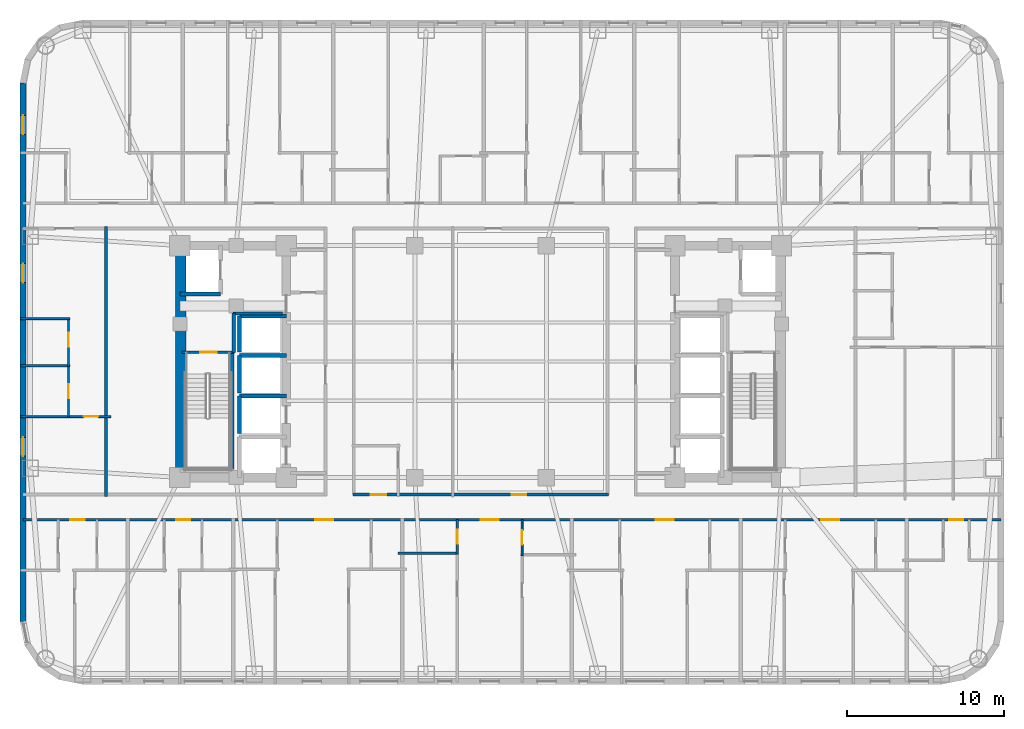
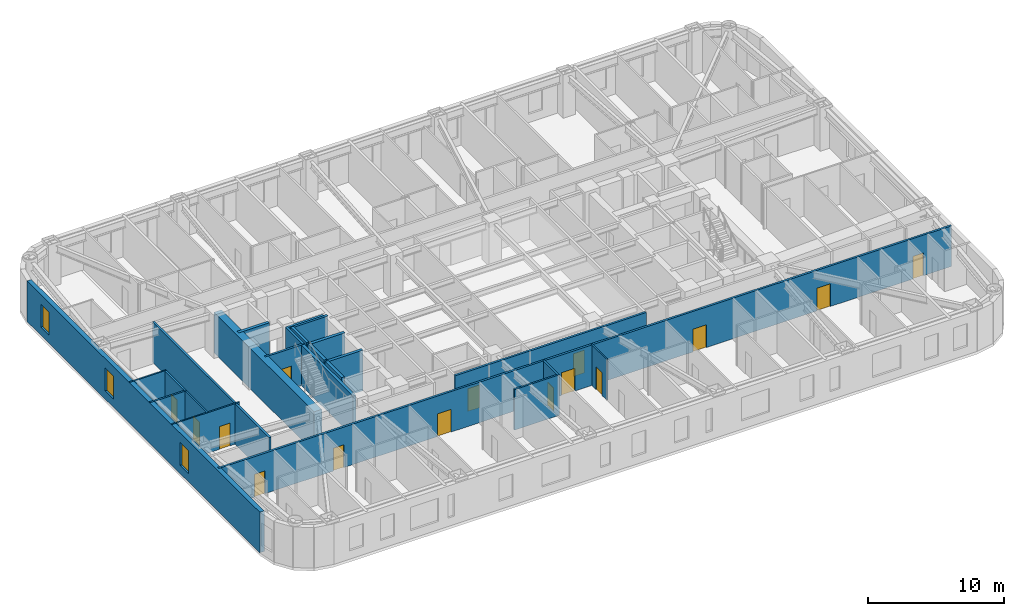
# One storey, part 4 of 12: 24 walls, 15 doors, 3 windows, 18 openings.
"""IFC4 building model written with IfcOpenShell, lengths in metres."""

from ifc_helpers import new_model, si_unit, direction, frame, frame_2d, origin, place, context, subcontext, project, spatial, rectangle, extrude, material, layer, layer_set, type_object, element, fill, save


model = new_model("IFC4")

# Units and contexts
model_context = context("Model", 3, precision=1e-05, world=origin(), true_north=direction((0.0, 1.0)))
body_context = subcontext(model_context, "Body", "Model", "MODEL_VIEW")
ifc_project = project(units=[si_unit("LENGTHUNIT", "METRE"), si_unit("AREAUNIT", "SQUARE_METRE"), si_unit("VOLUMEUNIT", "CUBIC_METRE"), si_unit("PLANEANGLEUNIT", "RADIAN"), si_unit("MASSUNIT", "GRAM", prefix="KILO")], contexts=[model_context])

# Site, building, storey
site_placement = place(None, origin())
site = spatial("IfcSite", under=ifc_project, at=site_placement, CompositionType="ELEMENT")
building_placement = place(site_placement, origin())
building = spatial("IfcBuilding", under=site, at=building_placement, Name="Voryun Gate Residences", CompositionType="ELEMENT")
storey_placement = place(building_placement, frame((0.0, 0.0, 101.39990234375)))
storey = spatial("IfcBuildingStorey", under=building, at=storey_placement, Name="L24", CompositionType="ELEMENT", Elevation=101.39990234375)

# Wall
ifc_material_1 = material(Name="Concrete C60/75", Category="concrete")
ifc_layer_1 = layer(ifc_material_1, 0.64990234375, Name="CW_CORE_650")
ifc_layer_set_1 = layer_set([ifc_layer_1], Name="Concrete C60/75")
wall_type_1 = type_object("IfcWallType", Name="CW_CORE_650", PredefinedType="SHEAR", material=ifc_layer_set_1)
wall_1_placement = place(storey_placement, frame((-19.14501953125, -7.39990234375, 0.0), z_axis=(0.0, 0.0, 1.0), x_axis=(0.0, 1.0, 0.0)))
element("IfcWall", 1, at=wall_1_placement, inside=storey, type_object=wall_type_1, Name="L24 Core shear wall CW-L24-WW", PredefinedType="SHEAR", context=body_context, shape_type="SweptSolid", body=[
    extrude(rectangle(XDim=14.7998046875, YDim=0.64990234375, at=frame_2d((7.39990234375, 0.0))), origin(), (0.0, 0.0, 1.0), 3.650146484375),
])

# Wall, opening, door
ifc_material_2 = material(Name="Gypsum acoustic fireboard")
ifc_layer_2 = layer(ifc_material_2, 0.179931640625, Name="W_CORR_RATED_180")
ifc_layer_set_2 = layer_set([ifc_layer_2], Name="Gypsum acoustic fireboard")
wall_type_2 = type_object("IfcWallType", Name="W_CORR_RATED_180", PredefinedType="PARTITIONING", material=ifc_layer_set_2)
wall_2_placement = place(storey_placement, frame((-19.06005859375, 0.60009765625, 0.0), z_axis=(0.0, 0.0, 1.0), x_axis=(1.0, 0.0, 0.0)))
wall_2 = element("IfcWall", 2, at=wall_2_placement, inside=storey, type_object=wall_type_2, Name="Partition wall WP-L24-STV-W", PredefinedType="PARTITIONING", context=body_context, shape_type="SweptSolid", body=[
    extrude(rectangle(XDim=3.360107421875, YDim=0.179931640625, at=frame_2d((1.68017578125, 0.0))), origin(), (0.0, 0.0, 1.0), 3.650146484375),
])
opening_1_placement = place(wall_2_placement, frame((1.155029296875, 0.0, 0.0)))
opening_1 = element("IfcOpeningElement", 3, at=opening_1_placement, cuts=wall_2, Name="Opening D-FD60-1", PredefinedType="OPENING", context=body_context, shape_type="SweptSolid", body=[
    extrude(rectangle(XDim=1.050048828125, YDim=2.050048828125, at=frame_2d((0.52490234375, 1.02490234375))), frame((0.0, 0.099853515625, 0.0), z_axis=(0.0, -1.0, 0.0), x_axis=(1.0, 0.0, 0.0)), (0.0, 0.0, 1.0), 0.199951171875),
])
ifc_material_3 = material(Name="Painted steel fire door", Category="steel")
door_type_1 = type_object("IfcDoorType", Name="DR_FD60_STAIR_1050", OperationType="NOTDEFINED", PredefinedType="DOOR", material=ifc_material_3)
door_1_placement = place(opening_1_placement, origin())
door_1 = element("IfcDoor", 4, at=door_1_placement, inside=storey, type_object=door_type_1, Name="Door DR-L24-ST-W", OperationType="SINGLE_SWING_LEFT", OverallHeight=2.050048828125, OverallWidth=1.050048828125, PredefinedType="DOOR", context=body_context, shape_type="SweptSolid", body=[
    extrude(rectangle(XDim=1.050048828125, YDim=2.050048828125, at=frame_2d((0.52490234375, 1.02490234375))), frame((0.0, 0.02490234375, 0.0), z_axis=(0.0, -1.0, 0.0), x_axis=(1.0, 0.0, 0.0)), (0.0, 0.0, 1.0), 0.050048828125),
])
fill(opening_1, door_1)

# Wall, openings, doors
wall_3_placement = place(storey_placement, frame((-8.14990234375, -8.489990234375, 0.0), z_axis=(0.0, 0.0, 1.0), x_axis=(1.0, 0.0, 0.0)))
wall_3 = element("IfcWall", 5, at=wall_3_placement, inside=storey, type_object=wall_type_2, Name="Partition wall WP-L24-Z1S", PredefinedType="PARTITIONING", context=body_context, shape_type="SweptSolid", body=[
    extrude(rectangle(XDim=16.2998046875, YDim=0.179931640625, at=frame_2d((8.14990234375, 0.0))), origin(), (0.0, 0.0, 1.0), 3.650146484375),
])
opening_2_placement = place(wall_3_placement, frame((1.1298828125, 0.0, 0.0)))
opening_2 = element("IfcOpeningElement", 6, at=opening_2_placement, cuts=wall_3, Name="Opening D-AWC-1", PredefinedType="OPENING", context=body_context, shape_type="SweptSolid", body=[
    extrude(rectangle(XDim=1.0, YDim=2.050048828125, at=frame_2d((0.5, 1.02490234375))), frame((0.0, 0.099853515625, 0.0), z_axis=(0.0, -1.0, 0.0), x_axis=(1.0, 0.0, 0.0)), (0.0, 0.0, 1.0), 0.199951171875),
])
opening_3_placement = place(wall_3_placement, frame((10.1201171875, 0.0, 0.0)))
opening_3 = element("IfcOpeningElement", 7, at=opening_3_placement, cuts=wall_3, Name="Opening D-INT-1", PredefinedType="OPENING", context=body_context, shape_type="SweptSolid", body=[
    extrude(rectangle(XDim=0.949951171875, YDim=2.050048828125, at=frame_2d((0.47509765625, 1.02490234375))), frame((0.0, 0.099853515625, 0.0), z_axis=(0.0, -1.0, 0.0), x_axis=(1.0, 0.0, 0.0)), (0.0, 0.0, 1.0), 0.199951171875),
])
ifc_material_4 = material(Name="Architectural oak veneer")
door_type_2 = type_object("IfcDoorType", Name="DR_ACC_WC_1000", OperationType="NOTDEFINED", PredefinedType="DOOR", material=ifc_material_4)
door_2_placement = place(opening_2_placement, origin())
door_2 = element("IfcDoor", 8, at=door_2_placement, inside=storey, type_object=door_type_2, Name="Door DR-L24-CMWC-D", OperationType="SINGLE_SWING_LEFT", OverallHeight=2.050048828125, OverallWidth=1.0, PredefinedType="DOOR", context=body_context, shape_type="SweptSolid", body=[
    extrude(rectangle(XDim=1.0, YDim=2.050048828125, at=frame_2d((0.5, 1.02490234375))), frame((0.0, 0.02490234375, 0.0), z_axis=(0.0, -1.0, 0.0), x_axis=(1.0, 0.0, 0.0)), (0.0, 0.0, 1.0), 0.050048828125),
])
fill(opening_2, door_2)
ifc_material_5 = material(Name="Architectural oak veneer")
door_type_3 = type_object("IfcDoorType", Name="DR_INT_ROOM_950", OperationType="NOTDEFINED", PredefinedType="DOOR", material=ifc_material_5)
door_3_placement = place(opening_3_placement, origin())
door_3 = element("IfcDoor", 9, at=door_3_placement, inside=storey, type_object=door_type_3, Name="Door DR-L24-CMIDZ1S", OperationType="SINGLE_SWING_RIGHT", OverallHeight=2.050048828125, OverallWidth=0.949951171875, PredefinedType="DOOR", context=body_context, shape_type="SweptSolid", body=[
    extrude(rectangle(XDim=0.949951171875, YDim=2.050048828125, at=frame_2d((0.47509765625, 1.02490234375))), frame((0.0, 0.02490234375, 0.0), z_axis=(0.0, -1.0, 0.0), x_axis=(1.0, 0.0, 0.0)), (0.0, 0.0, 1.0), 0.050048828125),
])
fill(opening_3, door_3)

wall_4_placement = place(storey_placement, frame((-29.2099609375, -10.10009765625, 0.0), z_axis=(0.0, 0.0, 1.0), x_axis=(1.0, 0.0, 0.0)))
wall_4 = element("IfcWall", 10, at=wall_4_placement, inside=storey, type_object=wall_type_2, Name="Partition wall WP-L24-SCORR", PredefinedType="PARTITIONING", context=body_context, shape_type="SweptSolid", body=[
    extrude(rectangle(XDim=62.419921875, YDim=0.179931640625, at=frame_2d((31.2099609375, 0.0))), origin(), (0.0, 0.0, 1.0), 3.650146484375),
])
opening_4_placement = place(wall_4_placement, frame((3.032958984375, 0.0, 0.0)))
opening_4 = element("IfcOpeningElement", 11, at=opening_4_placement, cuts=wall_4, Name="Opening D-INT-2", PredefinedType="OPENING", context=body_context, shape_type="SweptSolid", body=[
    extrude(rectangle(XDim=0.89990234375, YDim=2.050048828125, at=frame_2d((0.449951171875, 1.02490234375))), frame((0.0, 0.099853515625, 0.0), z_axis=(0.0, -1.0, 0.0), x_axis=(1.0, 0.0, 0.0)), (0.0, 0.0, 1.0), 0.199951171875),
])
opening_5_placement = place(wall_4_placement, frame((9.768310546875, 0.0, 0.0)))
opening_5 = element("IfcOpeningElement", 12, at=opening_5_placement, cuts=wall_4, Name="Opening D-INT-2", PredefinedType="OPENING", context=body_context, shape_type="SweptSolid", body=[
    extrude(rectangle(XDim=0.89990234375, YDim=2.050048828125, at=frame_2d((0.449951171875, 1.02490234375))), frame((0.0, 0.099853515625, 0.0), z_axis=(0.0, -1.0, 0.0), x_axis=(1.0, 0.0, 0.0)), (0.0, 0.0, 1.0), 0.199951171875),
])
opening_6_placement = place(wall_4_placement, frame((18.650390625, 0.0, 0.0)))
opening_6 = element("IfcOpeningElement", 13, at=opening_6_placement, cuts=wall_4, Name="Opening D-UNIT-1", PredefinedType="OPENING", context=body_context, shape_type="SweptSolid", body=[
    extrude(rectangle(XDim=1.14990234375, YDim=2.050048828125, at=frame_2d((0.574951171875, 1.02490234375))), frame((0.0, 0.099853515625, 0.0), z_axis=(0.0, -1.0, 0.0), x_axis=(1.0, 0.0, 0.0)), (0.0, 0.0, 1.0), 0.199951171875),
])
opening_7_placement = place(wall_4_placement, frame((29.2119140625, 0.0, 0.0)))
opening_7 = element("IfcOpeningElement", 14, at=opening_7_placement, cuts=wall_4, Name="Opening D-UNIT-1", PredefinedType="OPENING", context=body_context, shape_type="SweptSolid", body=[
    extrude(rectangle(XDim=1.14990234375, YDim=2.050048828125, at=frame_2d((0.574951171875, 1.02490234375))), frame((0.0, 0.099853515625, 0.0), z_axis=(0.0, -1.0, 0.0), x_axis=(1.0, 0.0, 0.0)), (0.0, 0.0, 1.0), 0.199951171875),
])
opening_8_placement = place(wall_4_placement, frame((40.37890625, 0.0, 0.0)))
opening_8 = element("IfcOpeningElement", 15, at=opening_8_placement, cuts=wall_4, Name="Opening D-UNIT-1", PredefinedType="OPENING", context=body_context, shape_type="SweptSolid", body=[
    extrude(rectangle(XDim=1.14990234375, YDim=2.050048828125, at=frame_2d((0.574951171875, 1.02490234375))), frame((0.0, 0.099853515625, 0.0), z_axis=(0.0, -1.0, 0.0), x_axis=(1.0, 0.0, 0.0)), (0.0, 0.0, 1.0), 0.199951171875),
])
opening_9_placement = place(wall_4_placement, frame((50.958984375, 0.0, 0.0)))
opening_9 = element("IfcOpeningElement", 16, at=opening_9_placement, cuts=wall_4, Name="Opening D-UNIT-1", PredefinedType="OPENING", context=body_context, shape_type="SweptSolid", body=[
    extrude(rectangle(XDim=1.14990234375, YDim=2.050048828125, at=frame_2d((0.574951171875, 1.02490234375))), frame((0.0, 0.099853515625, 0.0), z_axis=(0.0, -1.0, 0.0), x_axis=(1.0, 0.0, 0.0)), (0.0, 0.0, 1.0), 0.199951171875),
])
opening_10_placement = place(wall_4_placement, frame((59.117431640625, 0.0, 0.0)))
opening_10 = element("IfcOpeningElement", 17, at=opening_10_placement, cuts=wall_4, Name="Opening D-INT-2", PredefinedType="OPENING", context=body_context, shape_type="SweptSolid", body=[
    extrude(rectangle(XDim=0.89990234375, YDim=2.050048828125, at=frame_2d((0.449951171875, 1.02490234375))), frame((0.0, 0.099853515625, 0.0), z_axis=(0.0, -1.0, 0.0), x_axis=(1.0, 0.0, 0.0)), (0.0, 0.0, 1.0), 0.199951171875),
])
ifc_material_6 = material(Name="Architectural oak veneer")
door_type_4 = type_object("IfcDoorType", Name="DR_INT_BATH_900", OperationType="NOTDEFINED", PredefinedType="DOOR", material=ifc_material_6)
door_4_placement = place(opening_4_placement, origin())
door_4 = element("IfcDoor", 18, at=door_4_placement, inside=storey, type_object=door_type_4, Name="Door DR-L24-SENT-1", OperationType="SINGLE_SWING_RIGHT", OverallHeight=2.050048828125, OverallWidth=0.89990234375, PredefinedType="DOOR", context=body_context, shape_type="SweptSolid", body=[
    extrude(rectangle(XDim=0.89990234375, YDim=2.050048828125, at=frame_2d((0.449951171875, 1.02490234375))), frame((0.0, 0.02490234375, 0.0), z_axis=(0.0, -1.0, 0.0), x_axis=(1.0, 0.0, 0.0)), (0.0, 0.0, 1.0), 0.050048828125),
])
fill(opening_4, door_4)
door_5_placement = place(opening_5_placement, origin())
door_5 = element("IfcDoor", 19, at=door_5_placement, inside=storey, type_object=door_type_4, Name="Door DR-L24-SENT-2", OperationType="SINGLE_SWING_LEFT", OverallHeight=2.050048828125, OverallWidth=0.89990234375, PredefinedType="DOOR", context=body_context, shape_type="SweptSolid", body=[
    extrude(rectangle(XDim=0.89990234375, YDim=2.050048828125, at=frame_2d((0.449951171875, 1.02490234375))), frame((0.0, 0.02490234375, 0.0), z_axis=(0.0, -1.0, 0.0), x_axis=(1.0, 0.0, 0.0)), (0.0, 0.0, 1.0), 0.050048828125),
])
fill(opening_5, door_5)
door_6_placement = place(opening_10_placement, origin())
door_6 = element("IfcDoor", 20, at=door_6_placement, inside=storey, type_object=door_type_4, Name="Door DR-L24-SENT-7", OperationType="SINGLE_SWING_RIGHT", OverallHeight=2.050048828125, OverallWidth=0.89990234375, PredefinedType="DOOR", context=body_context, shape_type="SweptSolid", body=[
    extrude(rectangle(XDim=0.89990234375, YDim=2.050048828125, at=frame_2d((0.449951171875, 1.02490234375))), frame((0.0, 0.02490234375, 0.0), z_axis=(0.0, -1.0, 0.0), x_axis=(1.0, 0.0, 0.0)), (0.0, 0.0, 1.0), 0.050048828125),
])
fill(opening_10, door_6)
ifc_material_7 = material(Name="Armoured timber-clad fire door", Category="wood")
door_type_5 = type_object("IfcDoorType", Name="DR_UNIT_ENTRY_1150", OperationType="NOTDEFINED", PredefinedType="DOOR", material=ifc_material_7)
door_7_placement = place(opening_6_placement, origin())
door_7 = element("IfcDoor", 21, at=door_7_placement, inside=storey, type_object=door_type_5, Name="Door DR-L24-SENT-3", OperationType="SINGLE_SWING_RIGHT", OverallHeight=2.050048828125, OverallWidth=1.14990234375, PredefinedType="DOOR", context=body_context, shape_type="SweptSolid", body=[
    extrude(rectangle(XDim=1.14990234375, YDim=2.050048828125, at=frame_2d((0.574951171875, 1.02490234375))), frame((0.0, 0.02490234375, 0.0), z_axis=(0.0, -1.0, 0.0), x_axis=(1.0, 0.0, 0.0)), (0.0, 0.0, 1.0), 0.050048828125),
])
fill(opening_6, door_7)
door_8_placement = place(opening_7_placement, origin())
door_8 = element("IfcDoor", 22, at=door_8_placement, inside=storey, type_object=door_type_5, Name="Door DR-L24-SENT-4", OperationType="SINGLE_SWING_LEFT", OverallHeight=2.050048828125, OverallWidth=1.14990234375, PredefinedType="DOOR", context=body_context, shape_type="SweptSolid", body=[
    extrude(rectangle(XDim=1.14990234375, YDim=2.050048828125, at=frame_2d((0.574951171875, 1.02490234375))), frame((0.0, 0.02490234375, 0.0), z_axis=(0.0, -1.0, 0.0), x_axis=(1.0, 0.0, 0.0)), (0.0, 0.0, 1.0), 0.050048828125),
])
fill(opening_7, door_8)
door_9_placement = place(opening_8_placement, origin())
door_9 = element("IfcDoor", 23, at=door_9_placement, inside=storey, type_object=door_type_5, Name="Door DR-L24-SENT-5", OperationType="SINGLE_SWING_RIGHT", OverallHeight=2.050048828125, OverallWidth=1.14990234375, PredefinedType="DOOR", context=body_context, shape_type="SweptSolid", body=[
    extrude(rectangle(XDim=1.14990234375, YDim=2.050048828125, at=frame_2d((0.574951171875, 1.02490234375))), frame((0.0, 0.02490234375, 0.0), z_axis=(0.0, -1.0, 0.0), x_axis=(1.0, 0.0, 0.0)), (0.0, 0.0, 1.0), 0.050048828125),
])
fill(opening_8, door_9)
door_10_placement = place(opening_9_placement, origin())
door_10 = element("IfcDoor", 24, at=door_10_placement, inside=storey, type_object=door_type_5, Name="Door DR-L24-SENT-6", OperationType="SINGLE_SWING_LEFT", OverallHeight=2.050048828125, OverallWidth=1.14990234375, PredefinedType="DOOR", context=body_context, shape_type="SweptSolid", body=[
    extrude(rectangle(XDim=1.14990234375, YDim=2.050048828125, at=frame_2d((0.574951171875, 1.02490234375))), frame((0.0, 0.02490234375, 0.0), z_axis=(0.0, -1.0, 0.0), x_axis=(1.0, 0.0, 0.0)), (0.0, 0.0, 1.0), 0.050048828125),
])
fill(opening_9, door_10)

# Wall
wall_5_placement = place(storey_placement, frame((-23.919921875, -8.610107421875, 0.0), z_axis=(0.0, 0.0, 1.0), x_axis=(0.0, 1.0, 0.0)))
element("IfcWall", 25, at=wall_5_placement, inside=storey, type_object=wall_type_2, Name="Partition wall WP-L24-WCOR", PredefinedType="PARTITIONING", context=body_context, shape_type="SweptSolid", body=[
    extrude(rectangle(XDim=17.22021484375, YDim=0.179931640625, at=frame_2d((8.610107421875, 0.0))), origin(), (0.0, 0.0, 1.0), 3.650146484375),
])

# Wall, openings, windows
ifc_material_8 = material(Name="Granite masonry", Category="masonry")
ifc_layer_3 = layer(ifc_material_8, 0.3798828125, Name="W_EXT_GRANITE_380")
ifc_layer_set_3 = layer_set([ifc_layer_3], Name="Granite masonry")
wall_type_3 = type_object("IfcWallType", Name="W_EXT_GRANITE_380", PredefinedType="ELEMENTEDWALL", material=ifc_layer_set_3)
wall_6_placement = place(storey_placement, frame((-29.2099609375, -16.581298828125, 0.0), z_axis=(0.0, 0.0, 1.0), x_axis=(0.0, 1.0, 0.0)))
wall_6 = element("IfcWall", 26, at=wall_6_placement, inside=storey, type_object=wall_type_3, Name="Exterior wall WEXT-L24-06", PredefinedType="ELEMENTEDWALL", context=body_context, shape_type="SweptSolid", body=[
    extrude(rectangle(XDim=34.362548828125, YDim=0.3798828125, at=frame_2d((17.18115234375, 0.0))), origin(), (0.0, 0.0, 1.0), 3.650146484375),
])
opening_11_placement = place(wall_6_placement, frame((31.0869140625, 0.0, 0.75)))
opening_11 = element("IfcOpeningElement", 27, at=opening_11_placement, cuts=wall_6, Name="Opening WN6", PredefinedType="OPENING", context=body_context, shape_type="SweptSolid", body=[
    extrude(rectangle(XDim=1.199951171875, YDim=2.050048828125, at=frame_2d((0.60009765625, 1.02490234375))), frame((0.0, 0.199951171875, 0.0), z_axis=(0.0, -1.0, 0.0), x_axis=(1.0, 0.0, 0.0)), (0.0, 0.0, 1.0), 0.39990234375),
])
opening_12_placement = place(wall_6_placement, frame((21.626220703125, 0.0, 0.75)))
opening_12 = element("IfcOpeningElement", 28, at=opening_12_placement, cuts=wall_6, Name="Opening WN6", PredefinedType="OPENING", context=body_context, shape_type="SweptSolid", body=[
    extrude(rectangle(XDim=1.199951171875, YDim=2.050048828125, at=frame_2d((0.60009765625, 1.02490234375))), frame((0.0, 0.199951171875, 0.0), z_axis=(0.0, -1.0, 0.0), x_axis=(1.0, 0.0, 0.0)), (0.0, 0.0, 1.0), 0.39990234375),
])
opening_13_placement = place(wall_6_placement, frame((10.55126953125, 0.0, 0.75)))
opening_13 = element("IfcOpeningElement", 29, at=opening_13_placement, cuts=wall_6, Name="Opening WN6", PredefinedType="OPENING", context=body_context, shape_type="SweptSolid", body=[
    extrude(rectangle(XDim=1.199951171875, YDim=2.050048828125, at=frame_2d((0.60009765625, 1.02490234375))), frame((0.0, 0.199951171875, 0.0), z_axis=(0.0, -1.0, 0.0), x_axis=(1.0, 0.0, 0.0)), (0.0, 0.0, 1.0), 0.39990234375),
])
ifc_material_9 = material(Name="Laminated low-E glass", Category="glass")
window_type = type_object("IfcWindowType", Name="WN_POD_SLOT_1200", PartitioningType="SINGLE_PANEL", PredefinedType="WINDOW", material=ifc_material_9)
window_1_placement = place(opening_11_placement, origin())
window_1 = element("IfcWindow", 30, at=window_1_placement, inside=storey, type_object=window_type, Name="Window WN-L24-DWFIX-01", OverallHeight=2.050048828125, OverallWidth=1.199951171875, PartitioningType="SINGLE_PANEL", PredefinedType="WINDOW", context=body_context, shape_type="SweptSolid", body=[
    extrude(rectangle(XDim=1.199951171875, YDim=2.050048828125, at=frame_2d((0.60009765625, 1.02490234375))), frame((0.0, 0.030029296875, 0.0), z_axis=(0.0, -1.0, 0.0), x_axis=(1.0, 0.0, 0.0)), (0.0, 0.0, 1.0), 0.06005859375),
])
fill(opening_11, window_1)
window_2_placement = place(opening_12_placement, origin())
window_2 = element("IfcWindow", 31, at=window_2_placement, inside=storey, type_object=window_type, Name="Window WN-L24-DWFIX-29", OverallHeight=2.050048828125, OverallWidth=1.199951171875, PartitioningType="SINGLE_PANEL", PredefinedType="WINDOW", context=body_context, shape_type="SweptSolid", body=[
    extrude(rectangle(XDim=1.199951171875, YDim=2.050048828125, at=frame_2d((0.60009765625, 1.02490234375))), frame((0.0, 0.030029296875, 0.0), z_axis=(0.0, -1.0, 0.0), x_axis=(1.0, 0.0, 0.0)), (0.0, 0.0, 1.0), 0.06005859375),
])
fill(opening_12, window_2)
window_3_placement = place(opening_13_placement, origin())
window_3 = element("IfcWindow", 32, at=window_3_placement, inside=storey, type_object=window_type, Name="Window WN-L24-DWFIX-30", OverallHeight=2.050048828125, OverallWidth=1.199951171875, PartitioningType="SINGLE_PANEL", PredefinedType="WINDOW", context=body_context, shape_type="SweptSolid", body=[
    extrude(rectangle(XDim=1.199951171875, YDim=2.050048828125, at=frame_2d((0.60009765625, 1.02490234375))), frame((0.0, 0.030029296875, 0.0), z_axis=(0.0, -1.0, 0.0), x_axis=(1.0, 0.0, 0.0)), (0.0, 0.0, 1.0), 0.06005859375),
])
fill(opening_13, window_3)

# Walls
ifc_material_10 = material(Name="Concrete C40/50", Category="concrete")
ifc_layer_4 = layer(ifc_material_10, 0.199951171875, Name="W_FF_LOBBY_200")
ifc_layer_set_4 = layer_set([ifc_layer_4], Name="Concrete C40/50")
wall_type_4 = type_object("IfcWallType", Name="W_FF_LOBBY_200", PredefinedType="PARTITIONING", material=ifc_layer_set_4)
wall_7_placement = place(storey_placement, frame((-15.760009765625, 0.580078125, 0.0), z_axis=(0.0, 0.0, 1.0), x_axis=(0.0, 1.0, 0.0)))
element("IfcWall", 33, at=wall_7_placement, inside=storey, type_object=wall_type_4, Name="Partition wall WP-L24-FFP0-W", PredefinedType="PARTITIONING", context=body_context, shape_type="SweptSolid", body=[
    extrude(rectangle(XDim=2.52001953125, YDim=0.199951171875, at=frame_2d((1.260009765625, 0.0))), origin(), (0.0, 0.0, 1.0), 3.650146484375),
])
wall_8_placement = place(storey_placement, frame((-15.820068359375, 3.06005859375, 0.0), z_axis=(0.0, 0.0, 1.0), x_axis=(1.0, 0.0, 0.0)))
element("IfcWall", 34, at=wall_8_placement, inside=storey, type_object=wall_type_4, Name="Partition wall WP-L24-FFPS-W", PredefinedType="PARTITIONING", context=body_context, shape_type="SweptSolid", body=[
    extrude(rectangle(XDim=3.16015625, YDim=0.199951171875, at=frame_2d((1.580078125, 0.0))), origin(), (0.0, 0.0, 1.0), 3.650146484375),
])
ifc_material_11 = material(Name="Concrete C50/60", Category="concrete")
ifc_layer_5 = layer(ifc_material_11, 0.25, Name="W_SHAFT_RC250")
ifc_layer_set_5 = layer_set([ifc_layer_5], Name="Concrete C50/60")
wall_type_5 = type_object("IfcWallType", Name="W_SHAFT_RC250", PredefinedType="SOLIDWALL", material=ifc_layer_set_5)
wall_9_placement = place(storey_placement, frame((-15.860107421875, -7.0849609375, 0.0), z_axis=(0.0, 0.0, 1.0), x_axis=(0.0, 1.0, 0.0)))
element("IfcWall", 35, at=wall_9_placement, inside=storey, type_object=wall_type_5, Name="L24 Stair shaft structural wall W-STR", PredefinedType="SOLIDWALL", context=body_context, shape_type="SweptSolid", body=[
    extrude(rectangle(XDim=7.68505859375, YDim=0.25, at=frame_2d((3.842529296875, 0.0))), origin(), (0.0, 0.0, 1.0), 3.650146484375),
])
wall_10_placement = place(storey_placement, frame((-19.199951171875, 4.300048828125, 0.0), z_axis=(0.0, 0.0, 1.0), x_axis=(1.0, 0.0, 0.0)))
element("IfcWall", 36, at=wall_10_placement, inside=storey, type_object=wall_type_5, Name="Lift shaft wall WSH-L24-EL-FF-W1-S", PredefinedType="SOLIDWALL", context=body_context, shape_type="SweptSolid", body=[
    extrude(rectangle(XDim=2.599853515625, YDim=0.25, at=frame_2d((1.2998046875, 0.0))), origin(), (0.0, 0.0, 1.0), 3.650146484375),
])
wall_11_placement = place(storey_placement, frame((-12.39990234375, -2.199951171875, 0.0), z_axis=(0.0, 0.0, 1.0), x_axis=(-1.0, 0.0, 0.0)))
element("IfcWall", 37, at=wall_11_placement, inside=storey, type_object=wall_type_5, Name="Lift shaft wall WSH-L24-EL-P2-N", PredefinedType="SOLIDWALL", context=body_context, shape_type="SweptSolid", body=[
    extrude(rectangle(XDim=3.0, YDim=0.25, at=frame_2d((1.5, 0.0))), origin(), (0.0, 0.0, 1.0), 3.650146484375),
])
wall_12_placement = place(storey_placement, frame((-15.39990234375, -2.199951171875, 0.0), z_axis=(0.0, 0.0, 1.0), x_axis=(0.0, -1.0, 0.0)))
element("IfcWall", 38, at=wall_12_placement, inside=storey, type_object=wall_type_5, Name="Lift shaft wall WSH-L24-EL-P2-W", PredefinedType="SOLIDWALL", context=body_context, shape_type="SweptSolid", body=[
    extrude(rectangle(XDim=2.400146484375, YDim=0.25, at=frame_2d((1.2001953125, 0.0))), origin(), (0.0, 0.0, 1.0), 3.650146484375),
])
wall_13_placement = place(storey_placement, frame((-12.39990234375, 0.39990234375, 0.0), z_axis=(0.0, 0.0, 1.0), x_axis=(-1.0, 0.0, 0.0)))
element("IfcWall", 39, at=wall_13_placement, inside=storey, type_object=wall_type_5, Name="Lift shaft wall WSH-L24-EL-P4-N", PredefinedType="SOLIDWALL", context=body_context, shape_type="SweptSolid", body=[
    extrude(rectangle(XDim=3.0, YDim=0.25, at=frame_2d((1.5, 0.0))), origin(), (0.0, 0.0, 1.0), 3.650146484375),
])
wall_14_placement = place(storey_placement, frame((-15.39990234375, 0.39990234375, 0.0), z_axis=(0.0, 0.0, 1.0), x_axis=(0.0, -1.0, 0.0)))
element("IfcWall", 40, at=wall_14_placement, inside=storey, type_object=wall_type_5, Name="Lift shaft wall WSH-L24-EL-P4-W", PredefinedType="SOLIDWALL", context=body_context, shape_type="SweptSolid", body=[
    extrude(rectangle(XDim=2.39990234375, YDim=0.25, at=frame_2d((1.199951171875, 0.0))), origin(), (0.0, 0.0, 1.0), 3.650146484375),
])
wall_15_placement = place(storey_placement, frame((-12.39990234375, 2.89990234375, 0.0), z_axis=(0.0, 0.0, 1.0), x_axis=(-1.0, 0.0, 0.0)))
element("IfcWall", 41, at=wall_15_placement, inside=storey, type_object=wall_type_5, Name="Lift shaft wall WSH-L24-EL-P7-N", PredefinedType="SOLIDWALL", context=body_context, shape_type="SweptSolid", body=[
    extrude(rectangle(XDim=3.0, YDim=0.25, at=frame_2d((1.5, 0.0))), origin(), (0.0, 0.0, 1.0), 3.650146484375),
])
wall_16_placement = place(storey_placement, frame((-15.39990234375, 2.89990234375, 0.0), z_axis=(0.0, 0.0, 1.0), x_axis=(0.0, -1.0, 0.0)))
element("IfcWall", 42, at=wall_16_placement, inside=storey, type_object=wall_type_5, Name="Lift shaft wall WSH-L24-EL-P7-W", PredefinedType="SOLIDWALL", context=body_context, shape_type="SweptSolid", body=[
    extrude(rectangle(XDim=2.2998046875, YDim=0.25, at=frame_2d((1.14990234375, 0.0))), origin(), (0.0, 0.0, 1.0), 3.650146484375),
])

# Wall, opening, door
ifc_material_12 = material(Name="Gypsum acoustic partition")
ifc_layer_6 = layer(ifc_material_12, 0.125, Name="W_UNIT_PART_125")
ifc_layer_set_6 = layer_set([ifc_layer_6], Name="Gypsum acoustic partition")
wall_type_6 = type_object("IfcWallType", Name="W_UNIT_PART_125", PredefinedType="PARTITIONING", material=ifc_layer_set_6)
wall_17_placement = place(storey_placement, frame((2.639892578125, -12.3798828125, 0.0), z_axis=(0.0, 0.0, 1.0), x_axis=(0.0, 1.0, 0.0)))
wall_17 = element("IfcWall", 43, at=wall_17_placement, inside=storey, type_object=wall_type_6, Name="Partition wall WP-L24-S4-RVX2", PredefinedType="PARTITIONING", context=body_context, shape_type="SweptSolid", body=[
    extrude(rectangle(XDim=2.2998046875, YDim=0.125, at=frame_2d((1.14990234375, 0.0))), origin(), (0.0, 0.0, 1.0), 3.650146484375),
])
opening_14_placement = place(wall_17_placement, frame((0.699951171875, 0.0, 0.0)))
opening_14 = element("IfcOpeningElement", 44, at=opening_14_placement, cuts=wall_17, Name="Opening D-INT-2", PredefinedType="OPENING", context=body_context, shape_type="SweptSolid", body=[
    extrude(rectangle(XDim=0.89990234375, YDim=2.050048828125, at=frame_2d((0.449951171875, 1.02490234375))), frame((0.0, 0.072509765625, 0.0), z_axis=(0.0, -1.0, 0.0), x_axis=(1.0, 0.0, 0.0)), (0.0, 0.0, 1.0), 0.14501953125),
])
door_11_placement = place(opening_14_placement, origin())
door_11 = element("IfcDoor", 45, at=door_11_placement, inside=storey, type_object=door_type_4, Name="Door DR-L24-S4-DK", OperationType="SINGLE_SWING_LEFT", OverallHeight=2.050048828125, OverallWidth=0.89990234375, PredefinedType="DOOR", context=body_context, shape_type="SweptSolid", body=[
    extrude(rectangle(XDim=0.89990234375, YDim=2.050048828125, at=frame_2d((0.449951171875, 1.02490234375))), frame((0.0, 0.02490234375, 0.0), z_axis=(0.0, -1.0, 0.0), x_axis=(1.0, 0.0, 0.0)), (0.0, 0.0, 1.0), 0.050048828125),
])
fill(opening_14, door_11)

# Wall
wall_18_placement = place(storey_placement, frame((-29.360107421875, 2.739990234375, 0.0), z_axis=(0.0, 0.0, 1.0), x_axis=(1.0, 0.0, 0.0)))
element("IfcWall", 46, at=wall_18_placement, inside=storey, type_object=wall_type_6, Name="Partition wall WP-L24-W1-HZ1", PredefinedType="PARTITIONING", context=body_context, shape_type="SweptSolid", body=[
    extrude(rectangle(XDim=3.135986328125, YDim=0.125, at=frame_2d((1.56787109375, 0.0))), origin(), (0.0, 0.0, 1.0), 3.650146484375),
])

# Wall, opening, door
wall_19_placement = place(storey_placement, frame((-29.360107421875, -3.510009765625, 0.0), z_axis=(0.0, 0.0, 1.0), x_axis=(1.0, 0.0, 0.0)))
wall_19 = element("IfcWall", 47, at=wall_19_placement, inside=storey, type_object=wall_type_6, Name="Partition wall WP-L24-W1-HZ3", PredefinedType="PARTITIONING", context=body_context, shape_type="SweptSolid", body=[
    extrude(rectangle(XDim=5.760009765625, YDim=0.125, at=frame_2d((2.8798828125, 0.0))), origin(), (0.0, 0.0, 1.0), 3.650146484375),
])
opening_15_placement = place(wall_19_placement, frame((4.042724609375, 0.0, 0.0)))
opening_15 = element("IfcOpeningElement", 48, at=opening_15_placement, cuts=wall_19, Name="Opening D-INT-2", PredefinedType="OPENING", context=body_context, shape_type="SweptSolid", body=[
    extrude(rectangle(XDim=0.89990234375, YDim=2.050048828125, at=frame_2d((0.449951171875, 1.02490234375))), frame((0.0, 0.072509765625, 0.0), z_axis=(0.0, -1.0, 0.0), x_axis=(1.0, 0.0, 0.0)), (0.0, 0.0, 1.0), 0.14501953125),
])
door_12_placement = place(opening_15_placement, origin())
door_12 = element("IfcDoor", 49, at=door_12_placement, inside=storey, type_object=door_type_4, Name="Door DR-L24-W1-DMB", OperationType="SINGLE_SWING_LEFT", OverallHeight=2.050048828125, OverallWidth=0.89990234375, PredefinedType="DOOR", context=body_context, shape_type="SweptSolid", body=[
    extrude(rectangle(XDim=0.89990234375, YDim=2.050048828125, at=frame_2d((0.449951171875, 1.02490234375))), frame((0.0, 0.02490234375, 0.0), z_axis=(0.0, -1.0, 0.0), x_axis=(1.0, 0.0, 0.0)), (0.0, 0.0, 1.0), 0.050048828125),
])
fill(opening_15, door_12)

# Wall
ifc_material_13 = material(Name="Gypsum moisture-resistant partition")
ifc_layer_7 = layer(ifc_material_13, 0.14990234375, Name="W_WET_PLUMB_150")
ifc_layer_set_7 = layer_set([ifc_layer_7], Name="Gypsum moisture-resistant partition")
wall_type_7 = type_object("IfcWallType", Name="W_WET_PLUMB_150", PredefinedType="PLUMBINGWALL", material=ifc_layer_set_7)
wall_20_placement = place(storey_placement, frame((-5.260009765625, -12.239990234375, 0.0), z_axis=(0.0, 0.0, 1.0), x_axis=(1.0, 0.0, 0.0)))
element("IfcWall", 50, at=wall_20_placement, inside=storey, type_object=wall_type_7, Name="Partition wall WP-L24-S4-LHY", PredefinedType="PLUMBINGWALL", context=body_context, shape_type="SweptSolid", body=[
    extrude(rectangle(XDim=3.85009765625, YDim=0.14990234375, at=frame_2d((1.925048828125, 0.0))), origin(), (0.0, 0.0, 1.0), 3.650146484375),
])

# Wall, opening, door
wall_21_placement = place(storey_placement, frame((-1.489990234375, -12.280029296875, 0.0), z_axis=(0.0, 0.0, 1.0), x_axis=(0.0, 1.0, 0.0)))
wall_21 = element("IfcWall", 51, at=wall_21_placement, inside=storey, type_object=wall_type_7, Name="Partition wall WP-L24-S4-LVX2", PredefinedType="PLUMBINGWALL", context=body_context, shape_type="SweptSolid", body=[
    extrude(rectangle(XDim=2.199951171875, YDim=0.14990234375, at=frame_2d((1.10009765625, 0.0))), origin(), (0.0, 0.0, 1.0), 3.650146484375),
])
opening_16_placement = place(wall_21_placement, frame((0.64990234375, 0.0, 0.0)))
opening_16 = element("IfcOpeningElement", 52, at=opening_16_placement, cuts=wall_21, Name="Opening D-INT-2", PredefinedType="OPENING", context=body_context, shape_type="SweptSolid", body=[
    extrude(rectangle(XDim=0.89990234375, YDim=2.050048828125, at=frame_2d((0.449951171875, 1.02490234375))), frame((0.0, 0.0849609375, 0.0), z_axis=(0.0, -1.0, 0.0), x_axis=(1.0, 0.0, 0.0)), (0.0, 0.0, 1.0), 0.169921875),
])
door_13_placement = place(opening_16_placement, origin())
door_13 = element("IfcDoor", 53, at=door_13_placement, inside=storey, type_object=door_type_4, Name="Door DR-L24-S4-DB", OperationType="SINGLE_SWING_RIGHT", OverallHeight=2.050048828125, OverallWidth=0.89990234375, PredefinedType="DOOR", context=body_context, shape_type="SweptSolid", body=[
    extrude(rectangle(XDim=0.89990234375, YDim=2.050048828125, at=frame_2d((0.449951171875, 1.02490234375))), frame((0.0, 0.02490234375, 0.0), z_axis=(0.0, -1.0, 0.0), x_axis=(1.0, 0.0, 0.0)), (0.0, 0.0, 1.0), 0.050048828125),
])
fill(opening_16, door_13)

# Wall
wall_22_placement = place(storey_placement, frame((-29.360107421875, -0.260009765625, 0.0), z_axis=(0.0, 0.0, 1.0), x_axis=(1.0, 0.0, 0.0)))
element("IfcWall", 54, at=wall_22_placement, inside=storey, type_object=wall_type_7, Name="Partition wall WP-L24-W1-HZ2", PredefinedType="PLUMBINGWALL", context=body_context, shape_type="SweptSolid", body=[
    extrude(rectangle(XDim=3.135986328125, YDim=0.14990234375, at=frame_2d((1.56787109375, 0.0))), origin(), (0.0, 0.0, 1.0), 3.650146484375),
])

# Wall, opening, door
wall_23_placement = place(storey_placement, frame((-26.303955078125, -3.550048828125, 0.0), z_axis=(0.0, 0.0, 1.0), x_axis=(0.0, 1.0, 0.0)))
wall_23 = element("IfcWall", 55, at=wall_23_placement, inside=storey, type_object=wall_type_7, Name="Partition wall WP-L24-W1-VKB1", PredefinedType="PLUMBINGWALL", context=body_context, shape_type="SweptSolid", body=[
    extrude(rectangle(XDim=3.330078125, YDim=0.14990234375, at=frame_2d((1.6650390625, 0.0))), origin(), (0.0, 0.0, 1.0), 3.650146484375),
])
opening_17_placement = place(wall_23_placement, frame((1.215087890625, 0.0, 0.0)))
opening_17 = element("IfcOpeningElement", 56, at=opening_17_placement, cuts=wall_23, Name="Opening D-INT-2", PredefinedType="OPENING", context=body_context, shape_type="SweptSolid", body=[
    extrude(rectangle(XDim=0.89990234375, YDim=2.050048828125, at=frame_2d((0.449951171875, 1.02490234375))), frame((0.0, 0.0849609375, 0.0), z_axis=(0.0, -1.0, 0.0), x_axis=(1.0, 0.0, 0.0)), (0.0, 0.0, 1.0), 0.169921875),
])
door_14_placement = place(opening_17_placement, origin())
door_14 = element("IfcDoor", 57, at=door_14_placement, inside=storey, type_object=door_type_4, Name="Door DR-L24-W1-DB", OperationType="SINGLE_SWING_LEFT", OverallHeight=2.050048828125, OverallWidth=0.89990234375, PredefinedType="DOOR", context=body_context, shape_type="SweptSolid", body=[
    extrude(rectangle(XDim=0.89990234375, YDim=2.050048828125, at=frame_2d((0.449951171875, 1.02490234375))), frame((0.0, 0.02490234375, 0.0), z_axis=(0.0, -1.0, 0.0), x_axis=(1.0, 0.0, 0.0)), (0.0, 0.0, 1.0), 0.050048828125),
])
fill(opening_17, door_14)

wall_24_placement = place(storey_placement, frame((-26.303955078125, -0.300048828125, 0.0), z_axis=(0.0, 0.0, 1.0), x_axis=(0.0, 1.0, 0.0)))
wall_24 = element("IfcWall", 58, at=wall_24_placement, inside=storey, type_object=wall_type_7, Name="Partition wall WP-L24-W1-VKB2", PredefinedType="PLUMBINGWALL", context=body_context, shape_type="SweptSolid", body=[
    extrude(rectangle(XDim=3.080078125, YDim=0.14990234375, at=frame_2d((1.5400390625, 0.0))), origin(), (0.0, 0.0, 1.0), 3.650146484375),
])
opening_18_placement = place(wall_24_placement, frame((1.243896484375, 0.0, 0.0)))
opening_18 = element("IfcOpeningElement", 59, at=opening_18_placement, cuts=wall_24, Name="Opening D-INT-2", PredefinedType="OPENING", context=body_context, shape_type="SweptSolid", body=[
    extrude(rectangle(XDim=0.89990234375, YDim=2.050048828125, at=frame_2d((0.449951171875, 1.02490234375))), frame((0.0, 0.0849609375, 0.0), z_axis=(0.0, -1.0, 0.0), x_axis=(1.0, 0.0, 0.0)), (0.0, 0.0, 1.0), 0.169921875),
])
door_15_placement = place(opening_18_placement, origin())
door_15 = element("IfcDoor", 60, at=door_15_placement, inside=storey, type_object=door_type_4, Name="Door DR-L24-W1-DK", OperationType="SINGLE_SWING_RIGHT", OverallHeight=2.050048828125, OverallWidth=0.89990234375, PredefinedType="DOOR", context=body_context, shape_type="SweptSolid", body=[
    extrude(rectangle(XDim=0.89990234375, YDim=2.050048828125, at=frame_2d((0.449951171875, 1.02490234375))), frame((0.0, 0.02490234375, 0.0), z_axis=(0.0, -1.0, 0.0), x_axis=(1.0, 0.0, 0.0)), (0.0, 0.0, 1.0), 0.050048828125),
])
fill(opening_18, door_15)

save(model, "model.ifc")
